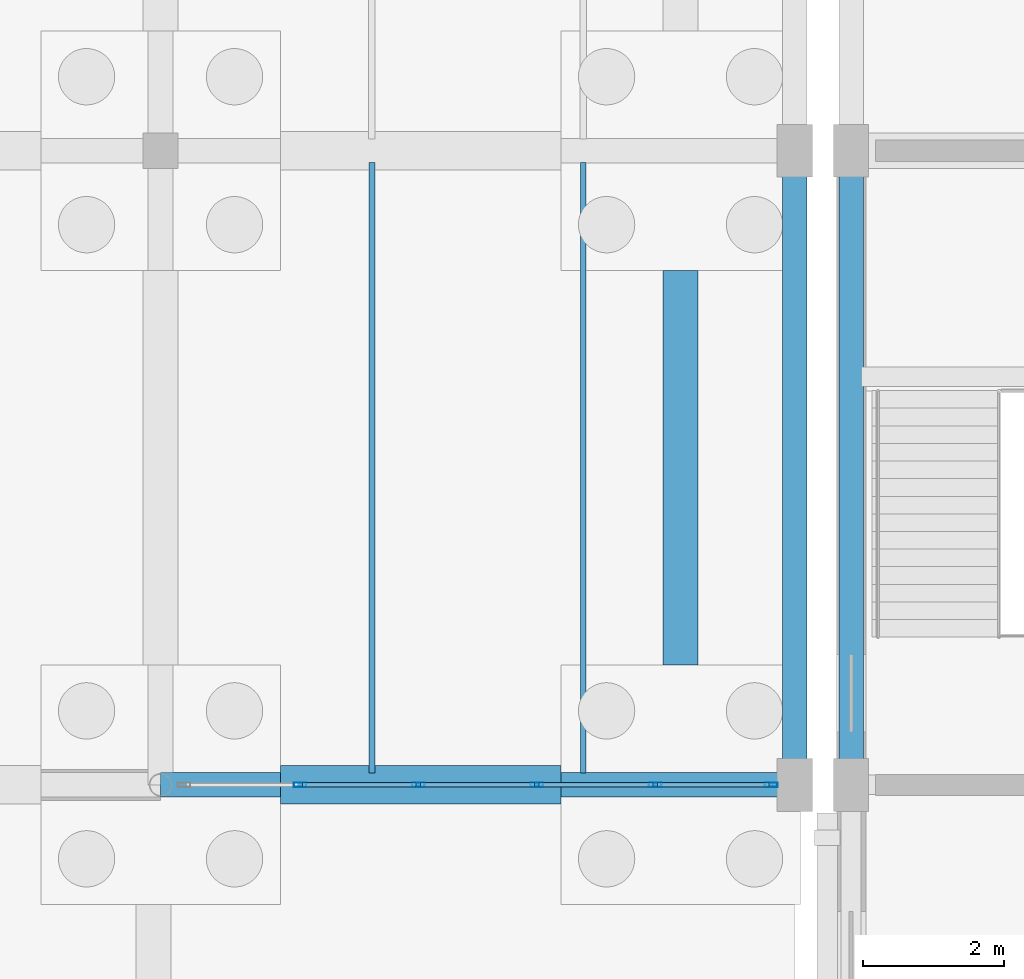
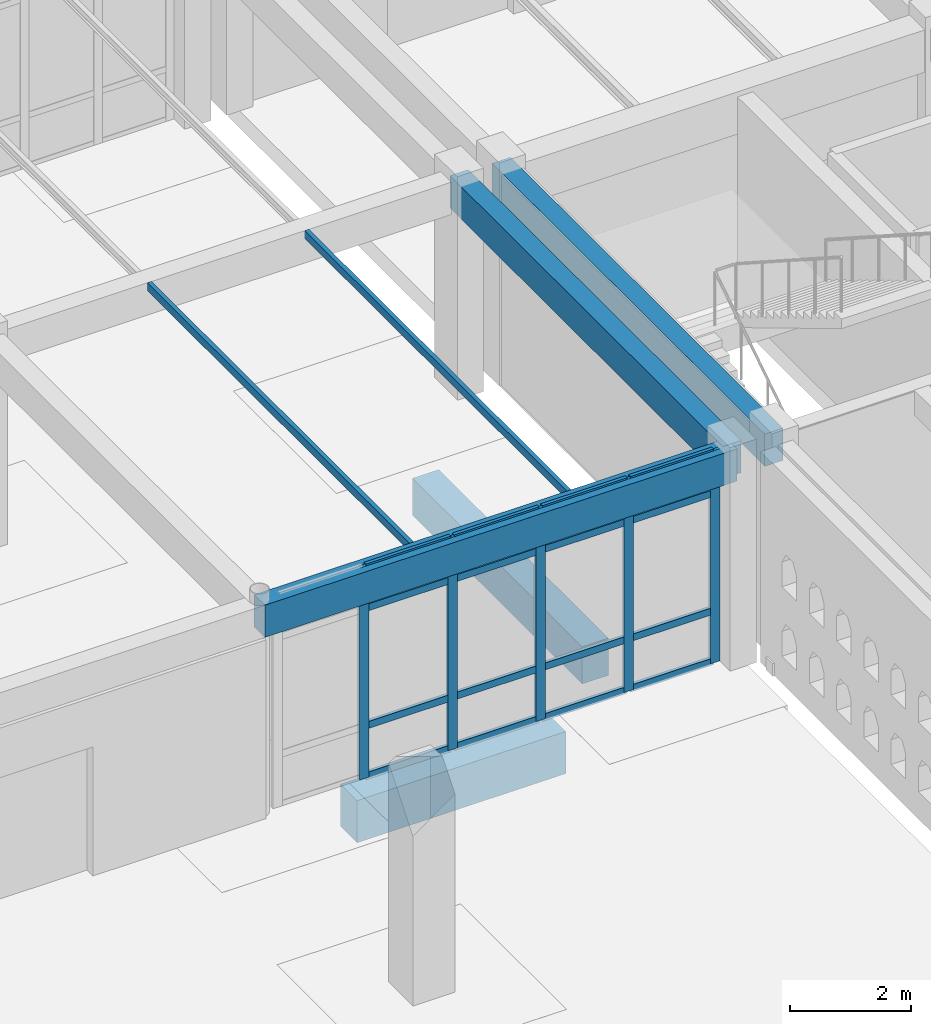
# One storey, part 63 of 186: 21 members, 7 beams, 1 element without a shape of its own.
"""IFC4 building model written with IfcOpenShell, lengths in metres."""

from ifc_helpers import new_model, si_unit, direction, frame, origin, origin_2d, place, context, subcontext, project, spatial, rectangle, hollow_rectangle, extrude, material, layer, layer_set, material_profile, profile_set, type_object, element, aggregate, save


model = new_model("IFC4")

# Units and contexts
model_context = context("Model", 3, precision=1e-05, world=origin(), true_north=direction((0.0, 1.0)))
body_context = subcontext(model_context, "Body", "Model", "MODEL_VIEW")
ifc_project = project(units=[si_unit("LENGTHUNIT", "METRE"), si_unit("AREAUNIT", "SQUARE_METRE"), si_unit("VOLUMEUNIT", "CUBIC_METRE"), si_unit("PLANEANGLEUNIT", "RADIAN"), si_unit("MASSUNIT", "GRAM", prefix="KILO")], contexts=[model_context])

# Site, building, storey
site_placement = place(None, origin())
site = spatial("IfcSite", under=ifc_project, at=site_placement, CompositionType="ELEMENT")
building_placement = place(site_placement, origin())
building = spatial("IfcBuilding", under=site, at=building_placement, Name="Ornek Quay Market", CompositionType="ELEMENT")
storey_placement = place(building_placement, origin())
storey = spatial("IfcBuildingStorey", under=building, at=storey_placement, Name="L00", CompositionType="ELEMENT", Elevation=0.0)

# Beams
ifc_material_1 = material(Name="Concrete C35/45", Category="concrete")
ifc_material_profile_1 = material_profile(ifc_material_1, rectangle(XDim=0.35009765625, YDim=0.64990234375, at=origin_2d()), Name="RC 350x650", Category="concrete")
ifc_profile_set_1 = profile_set([ifc_material_profile_1], Name="Concrete C35/45")
beam_type_1 = type_object("IfcBeamType", Name="BM-CONC-350x650", PredefinedType="BEAM", material=ifc_profile_set_1)
for number, where, z_axis, x_axis, name in (
    (1, (45.0, 92.0, 3.945068359375), (1.0, 0.0, 0.0), (0.0, 1.0, 0.0), "Primary beam B-CN1-054"),
    (2, (54.0, 92.0, 3.945068359375), (0.0, 1.0, 0.0), (-1.0, 0.0, 0.0), "Primary beam B-CN1-062"),
    (3, (54.800048828125, 92.0, 3.9150390625), (0.0, 1.0, 0.0), (-1.0, 0.0, 0.0), "Primary beam B-CN1-097"),
):
    element("IfcBeam", number, at=place(storey_placement, frame(where, z_axis=z_axis, x_axis=x_axis)), inside=storey, type_object=beam_type_1, Name=name, PredefinedType="BEAM", context=body_context, shape_type="SweptSolid", body=[
        extrude(rectangle(XDim=0.35009765625, YDim=0.64990234375, at=origin_2d()), origin(), (0.0, 0.0, 1.0), 9.0),
    ])
ifc_material_profile_2 = material_profile(ifc_material_1, rectangle(XDim=0.5, YDim=0.75, at=origin_2d()), Name="RC 500x750", Category="concrete")
ifc_profile_set_2 = profile_set([ifc_material_profile_2], Name="Concrete C35/45")
beam_type_2 = type_object("IfcBeamType", Name="BM-GB-500x750", PredefinedType="BEAM", material=ifc_profile_set_2)
beam_1_placement = place(storey_placement, frame((52.3798828125, 93.699951171875, -0.574951171875), z_axis=(0.0, 1.0, 0.0), x_axis=(-1.0, 0.0, 0.0)))
element("IfcBeam", 4, at=beam_1_placement, inside=storey, type_object=beam_type_2, Name="Ground tie beam GB-111", PredefinedType="BEAM", context=body_context, shape_type="SweptSolid", body=[
    extrude(rectangle(XDim=0.5, YDim=0.75, at=origin_2d()), origin(), (0.0, 0.0, 1.0), 5.60009765625),
])
ifc_material_profile_3 = material_profile(ifc_material_1, rectangle(XDim=0.550048828125, YDim=0.85009765625, at=origin_2d()), Name="RC 550x850", Category="concrete")
ifc_profile_set_3 = profile_set([ifc_material_profile_3], Name="Concrete C35/45")
beam_type_3 = type_object("IfcBeamType", Name="BM-GB-550x850", PredefinedType="BEAM", material=ifc_profile_set_3)
beam_2_placement = place(storey_placement, frame((46.699951171875, 92.0, -0.625), z_axis=(1.0, 0.0, 0.0), x_axis=(0.0, 1.0, 0.0)))
element("IfcBeam", 5, at=beam_2_placement, inside=storey, type_object=beam_type_3, Name="Ground tie beam GB-037", PredefinedType="BEAM", context=body_context, shape_type="SweptSolid", body=[
    extrude(rectangle(XDim=0.550048828125, YDim=0.85009765625, at=origin_2d()), origin(), (0.0, 0.0, 1.0), 3.97998046875),
])
ifc_material_2 = material(Name="Steel S355", Category="steel")
ifc_material_profile_4 = material_profile(ifc_material_2, hollow_rectangle(XDim=0.080078125, YDim=0.159912109375, WallThickness=0.008056640625, at=origin_2d()), Name="RHS 160x80x8", Category="steel")
ifc_profile_set_4 = profile_set([ifc_material_profile_4], Name="Steel S355")
beam_type_4 = type_object("IfcBeamType", Name="BM-RHS-RHS160x80x8", PredefinedType="BEAM", material=ifc_profile_set_4)
for number, where, z_axis, x_axis, name in (
    (6, (48.0, 92.1669921875, 4.18994140625), (0.0, 1.0, 0.0), (-1.0, 0.0, 0.0), "Secondary joist SR-02-003"),
    (7, (51.0, 92.1669921875, 4.18994140625), (0.0, 1.0, 0.0), (-1.0, 0.0, 0.0), "Secondary joist SR-02-004"),
):
    element("IfcBeam", number, at=place(storey_placement, frame(where, z_axis=z_axis, x_axis=x_axis)), inside=storey, type_object=beam_type_4, Name=name, PredefinedType="BEAM", context=body_context, shape_type="SweptSolid", body=[
        extrude(hollow_rectangle(XDim=0.080078125, YDim=0.159912109375, WallThickness=0.008056640625, at=origin_2d()), origin(), (0.0, 0.0, 1.0), 8.666015625),
    ])

# Curtain wall, members
ifc_material_3 = material(Name="Anodised bronze aluminium and triple low-e glass", Category="aluminium")
ifc_layer = layer(ifc_material_3, 0.199951171875, Name="Anodised bronze aluminium and triple low-e glass", Category="aluminium")
ifc_layer_set = layer_set([ifc_layer], Name="Anodised bronze aluminium and triple low-e glass")
curtain_wall_type = type_object("IfcCurtainWallType", Name="CW-CONC-MOD1800", PredefinedType="USERDEFINED", material=ifc_layer_set)
curtain_wall_placement = place(storey_placement, origin())
curtain_wall = element("IfcCurtainWall", 8, at=curtain_wall_placement, inside=storey, type_object=curtain_wall_type, Name="Curtain wall CW-010", ObjectType="CURTAIN WALL", PredefinedType="USERDEFINED")
ifc_material_4 = material(Name="Anodised aluminium 6063-T6", Category="aluminium")
ifc_material_profile_5 = material_profile(ifc_material_4, hollow_rectangle(XDim=0.06494140625, YDim=0.179931640625, WallThickness=0.00439453125, at=origin_2d()), Name="CW-MUL-65x180", Category="aluminium")
ifc_profile_set_5 = profile_set([ifc_material_profile_5], Name="Anodised aluminium 6063-T6")
member_type_1 = type_object("IfcMemberType", Name="CW-MUL-65x180", PredefinedType="MULLION", material=ifc_profile_set_5)
member_1_placement = place(storey_placement, frame((46.97998046875, 92.0, 0.0), z_axis=(0.0, 0.0, 1.0), x_axis=(0.0, 1.0, 0.0)))
member_1 = element("IfcMember", 9, at=member_1_placement, type_object=member_type_1, Name="CW-010 mullion 2", PredefinedType="MULLION", context=body_context, shape_type="SweptSolid", body=[
    extrude(hollow_rectangle(XDim=0.06494140625, YDim=0.179931640625, WallThickness=0.00439453125, at=origin_2d()), origin(), (0.0, 0.0, 1.0), 4.27001953125),
])
member_2_placement = place(storey_placement, frame((48.659912109375, 92.0, 0.0), z_axis=(0.0, 0.0, 1.0), x_axis=(0.0, 1.0, 0.0)))
member_2 = element("IfcMember", 10, at=member_2_placement, type_object=member_type_1, Name="CW-010 mullion 3", PredefinedType="MULLION", context=body_context, shape_type="SweptSolid", body=[
    extrude(hollow_rectangle(XDim=0.06494140625, YDim=0.179931640625, WallThickness=0.00439453125, at=origin_2d()), origin(), (0.0, 0.0, 1.0), 4.27001953125),
])
member_3_placement = place(storey_placement, frame((50.340087890625, 92.0, 0.0), z_axis=(0.0, 0.0, 1.0), x_axis=(0.0, 1.0, 0.0)))
member_3 = element("IfcMember", 11, at=member_3_placement, type_object=member_type_1, Name="CW-010 mullion 4", PredefinedType="MULLION", context=body_context, shape_type="SweptSolid", body=[
    extrude(hollow_rectangle(XDim=0.06494140625, YDim=0.179931640625, WallThickness=0.00439453125, at=origin_2d()), origin(), (0.0, 0.0, 1.0), 4.27001953125),
])
member_4_placement = place(storey_placement, frame((52.02001953125, 92.0, 0.0), z_axis=(0.0, 0.0, 1.0), x_axis=(0.0, 1.0, 0.0)))
member_4 = element("IfcMember", 12, at=member_4_placement, type_object=member_type_1, Name="CW-010 mullion 5", PredefinedType="MULLION", context=body_context, shape_type="SweptSolid", body=[
    extrude(hollow_rectangle(XDim=0.06494140625, YDim=0.179931640625, WallThickness=0.00439453125, at=origin_2d()), origin(), (0.0, 0.0, 1.0), 4.27001953125),
])
member_5_placement = place(storey_placement, frame((53.66748046875, 92.0, 0.0), z_axis=(0.0, 0.0, 1.0), x_axis=(0.0, 1.0, 0.0)))
member_5 = element("IfcMember", 13, at=member_5_placement, type_object=member_type_1, Name="CW-010 mullion 6", PredefinedType="MULLION", context=body_context, shape_type="SweptSolid", body=[
    extrude(hollow_rectangle(XDim=0.06494140625, YDim=0.179931640625, WallThickness=0.00439453125, at=origin_2d()), origin(), (0.0, 0.0, 1.0), 4.27001953125),
])
ifc_material_profile_6 = material_profile(ifc_material_4, hollow_rectangle(XDim=0.06494140625, YDim=0.139892578125, WallThickness=0.00439453125, at=origin_2d()), Name="CW-TRN-65x140", Category="aluminium")
ifc_profile_set_6 = profile_set([ifc_material_profile_6], Name="Anodised aluminium 6063-T6")
member_type_2 = type_object("IfcMemberType", Name="CW-TRN-65x140", PredefinedType="USERDEFINED", material=ifc_profile_set_6)
member_6_placement = place(storey_placement, frame((47.012451171875, 92.0, 0.032470703125), z_axis=(1.0, 0.0, 0.0), x_axis=(0.0, 1.0, 0.0)))
member_6 = element("IfcMember", 14, at=member_6_placement, type_object=member_type_2, Name="CW-010 transom 2.1", ObjectType="TRANSOM", PredefinedType="USERDEFINED", context=body_context, shape_type="SweptSolid", body=[
    extrude(hollow_rectangle(XDim=0.06494140625, YDim=0.139892578125, WallThickness=0.00439453125, at=origin_2d()), origin(), (0.0, 0.0, 1.0), 1.614990234375),
])
member_7_placement = place(storey_placement, frame((47.012451171875, 92.0, 1.050048828125), z_axis=(1.0, 0.0, 0.0), x_axis=(0.0, 1.0, 0.0)))
member_7 = element("IfcMember", 15, at=member_7_placement, type_object=member_type_2, Name="CW-010 transom 2.2", ObjectType="TRANSOM", PredefinedType="USERDEFINED", context=body_context, shape_type="SweptSolid", body=[
    extrude(hollow_rectangle(XDim=0.06494140625, YDim=0.139892578125, WallThickness=0.00439453125, at=origin_2d()), origin(), (0.0, 0.0, 1.0), 1.614990234375),
])
member_8_placement = place(storey_placement, frame((47.012451171875, 92.0, 3.419921875), z_axis=(1.0, 0.0, 0.0), x_axis=(0.0, 1.0, 0.0)))
member_8 = element("IfcMember", 16, at=member_8_placement, type_object=member_type_2, Name="CW-010 transom 2.3", ObjectType="TRANSOM", PredefinedType="USERDEFINED", context=body_context, shape_type="SweptSolid", body=[
    extrude(hollow_rectangle(XDim=0.06494140625, YDim=0.139892578125, WallThickness=0.00439453125, at=origin_2d()), origin(), (0.0, 0.0, 1.0), 1.614990234375),
])
member_9_placement = place(storey_placement, frame((47.012451171875, 92.0, 4.237548828125), z_axis=(1.0, 0.0, 0.0), x_axis=(0.0, 1.0, 0.0)))
member_9 = element("IfcMember", 17, at=member_9_placement, type_object=member_type_2, Name="CW-010 transom 2.4", ObjectType="TRANSOM", PredefinedType="USERDEFINED", context=body_context, shape_type="SweptSolid", body=[
    extrude(hollow_rectangle(XDim=0.06494140625, YDim=0.139892578125, WallThickness=0.00439453125, at=origin_2d()), origin(), (0.0, 0.0, 1.0), 1.614990234375),
])
member_10_placement = place(storey_placement, frame((48.6923828125, 92.0, 0.032470703125), z_axis=(1.0, 0.0, 0.0), x_axis=(0.0, 1.0, 0.0)))
member_10 = element("IfcMember", 18, at=member_10_placement, type_object=member_type_2, Name="CW-010 transom 3.1", ObjectType="TRANSOM", PredefinedType="USERDEFINED", context=body_context, shape_type="SweptSolid", body=[
    extrude(hollow_rectangle(XDim=0.06494140625, YDim=0.139892578125, WallThickness=0.00439453125, at=origin_2d()), origin(), (0.0, 0.0, 1.0), 1.615234375),
])
member_11_placement = place(storey_placement, frame((48.6923828125, 92.0, 1.050048828125), z_axis=(1.0, 0.0, 0.0), x_axis=(0.0, 1.0, 0.0)))
member_11 = element("IfcMember", 19, at=member_11_placement, type_object=member_type_2, Name="CW-010 transom 3.2", ObjectType="TRANSOM", PredefinedType="USERDEFINED", context=body_context, shape_type="SweptSolid", body=[
    extrude(hollow_rectangle(XDim=0.06494140625, YDim=0.139892578125, WallThickness=0.00439453125, at=origin_2d()), origin(), (0.0, 0.0, 1.0), 1.615234375),
])
member_12_placement = place(storey_placement, frame((48.6923828125, 92.0, 3.419921875), z_axis=(1.0, 0.0, 0.0), x_axis=(0.0, 1.0, 0.0)))
member_12 = element("IfcMember", 20, at=member_12_placement, type_object=member_type_2, Name="CW-010 transom 3.3", ObjectType="TRANSOM", PredefinedType="USERDEFINED", context=body_context, shape_type="SweptSolid", body=[
    extrude(hollow_rectangle(XDim=0.06494140625, YDim=0.139892578125, WallThickness=0.00439453125, at=origin_2d()), origin(), (0.0, 0.0, 1.0), 1.615234375),
])
member_13_placement = place(storey_placement, frame((48.6923828125, 92.0, 4.237548828125), z_axis=(1.0, 0.0, 0.0), x_axis=(0.0, 1.0, 0.0)))
member_13 = element("IfcMember", 21, at=member_13_placement, type_object=member_type_2, Name="CW-010 transom 3.4", ObjectType="TRANSOM", PredefinedType="USERDEFINED", context=body_context, shape_type="SweptSolid", body=[
    extrude(hollow_rectangle(XDim=0.06494140625, YDim=0.139892578125, WallThickness=0.00439453125, at=origin_2d()), origin(), (0.0, 0.0, 1.0), 1.615234375),
])
member_14_placement = place(storey_placement, frame((50.37255859375, 92.0, 0.032470703125), z_axis=(1.0, 0.0, 0.0), x_axis=(0.0, 1.0, 0.0)))
member_14 = element("IfcMember", 22, at=member_14_placement, type_object=member_type_2, Name="CW-010 transom 4.1", ObjectType="TRANSOM", PredefinedType="USERDEFINED", context=body_context, shape_type="SweptSolid", body=[
    extrude(hollow_rectangle(XDim=0.06494140625, YDim=0.139892578125, WallThickness=0.00439453125, at=origin_2d()), origin(), (0.0, 0.0, 1.0), 1.614990234375),
])
member_15_placement = place(storey_placement, frame((50.37255859375, 92.0, 1.050048828125), z_axis=(1.0, 0.0, 0.0), x_axis=(0.0, 1.0, 0.0)))
member_15 = element("IfcMember", 23, at=member_15_placement, type_object=member_type_2, Name="CW-010 transom 4.2", ObjectType="TRANSOM", PredefinedType="USERDEFINED", context=body_context, shape_type="SweptSolid", body=[
    extrude(hollow_rectangle(XDim=0.06494140625, YDim=0.139892578125, WallThickness=0.00439453125, at=origin_2d()), origin(), (0.0, 0.0, 1.0), 1.614990234375),
])
member_16_placement = place(storey_placement, frame((50.37255859375, 92.0, 3.419921875), z_axis=(1.0, 0.0, 0.0), x_axis=(0.0, 1.0, 0.0)))
member_16 = element("IfcMember", 24, at=member_16_placement, type_object=member_type_2, Name="CW-010 transom 4.3", ObjectType="TRANSOM", PredefinedType="USERDEFINED", context=body_context, shape_type="SweptSolid", body=[
    extrude(hollow_rectangle(XDim=0.06494140625, YDim=0.139892578125, WallThickness=0.00439453125, at=origin_2d()), origin(), (0.0, 0.0, 1.0), 1.614990234375),
])
member_17_placement = place(storey_placement, frame((50.37255859375, 92.0, 4.237548828125), z_axis=(1.0, 0.0, 0.0), x_axis=(0.0, 1.0, 0.0)))
member_17 = element("IfcMember", 25, at=member_17_placement, type_object=member_type_2, Name="CW-010 transom 4.4", ObjectType="TRANSOM", PredefinedType="USERDEFINED", context=body_context, shape_type="SweptSolid", body=[
    extrude(hollow_rectangle(XDim=0.06494140625, YDim=0.139892578125, WallThickness=0.00439453125, at=origin_2d()), origin(), (0.0, 0.0, 1.0), 1.614990234375),
])
member_18_placement = place(storey_placement, frame((52.052490234375, 92.0, 0.032470703125), z_axis=(1.0, 0.0, 0.0), x_axis=(0.0, 1.0, 0.0)))
member_18 = element("IfcMember", 26, at=member_18_placement, type_object=member_type_2, Name="CW-010 transom 5.1", ObjectType="TRANSOM", PredefinedType="USERDEFINED", context=body_context, shape_type="SweptSolid", body=[
    extrude(hollow_rectangle(XDim=0.06494140625, YDim=0.139892578125, WallThickness=0.00439453125, at=origin_2d()), origin(), (0.0, 0.0, 1.0), 1.58251953125),
])
member_19_placement = place(storey_placement, frame((52.052490234375, 92.0, 1.050048828125), z_axis=(1.0, 0.0, 0.0), x_axis=(0.0, 1.0, 0.0)))
member_19 = element("IfcMember", 27, at=member_19_placement, type_object=member_type_2, Name="CW-010 transom 5.2", ObjectType="TRANSOM", PredefinedType="USERDEFINED", context=body_context, shape_type="SweptSolid", body=[
    extrude(hollow_rectangle(XDim=0.06494140625, YDim=0.139892578125, WallThickness=0.00439453125, at=origin_2d()), origin(), (0.0, 0.0, 1.0), 1.58251953125),
])
member_20_placement = place(storey_placement, frame((52.052490234375, 92.0, 3.419921875), z_axis=(1.0, 0.0, 0.0), x_axis=(0.0, 1.0, 0.0)))
member_20 = element("IfcMember", 28, at=member_20_placement, type_object=member_type_2, Name="CW-010 transom 5.3", ObjectType="TRANSOM", PredefinedType="USERDEFINED", context=body_context, shape_type="SweptSolid", body=[
    extrude(hollow_rectangle(XDim=0.06494140625, YDim=0.139892578125, WallThickness=0.00439453125, at=origin_2d()), origin(), (0.0, 0.0, 1.0), 1.58251953125),
])
member_21_placement = place(storey_placement, frame((52.052490234375, 92.0, 4.237548828125), z_axis=(1.0, 0.0, 0.0), x_axis=(0.0, 1.0, 0.0)))
member_21 = element("IfcMember", 29, at=member_21_placement, type_object=member_type_2, Name="CW-010 transom 5.4", ObjectType="TRANSOM", PredefinedType="USERDEFINED", context=body_context, shape_type="SweptSolid", body=[
    extrude(hollow_rectangle(XDim=0.06494140625, YDim=0.139892578125, WallThickness=0.00439453125, at=origin_2d()), origin(), (0.0, 0.0, 1.0), 1.58251953125),
])
aggregate(curtain_wall, [member_1, member_2, member_3, member_4, member_5, member_6, member_7, member_8, member_9, member_10, member_11, member_12, member_13, member_14, member_15, member_16, member_17, member_18, member_19, member_20, member_21])

save(model, "model.ifc")
